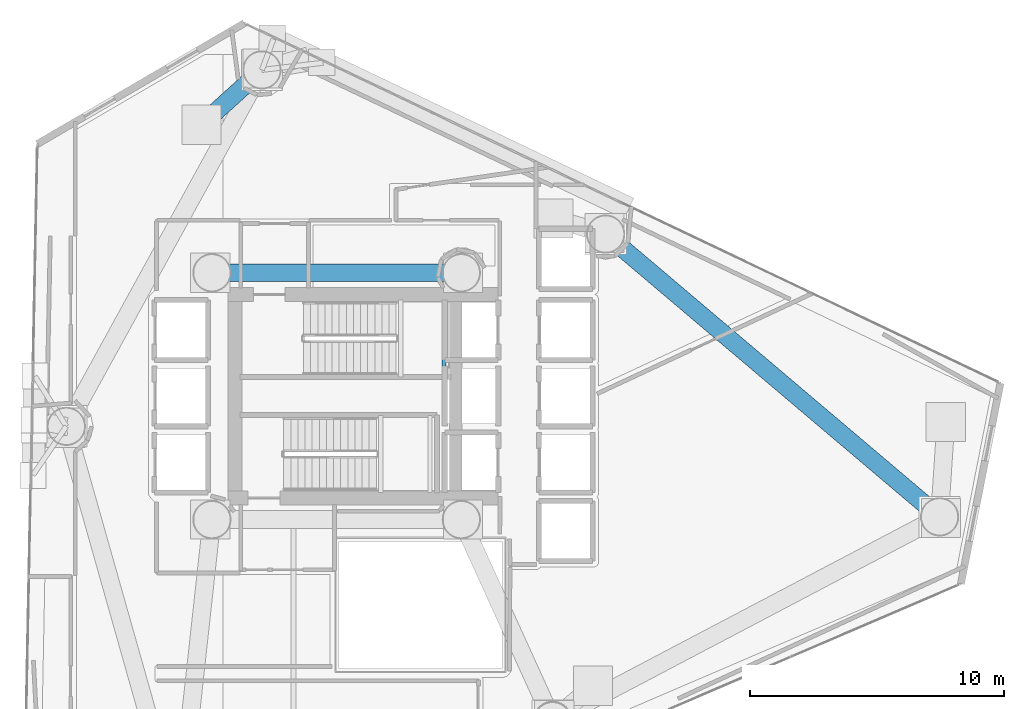
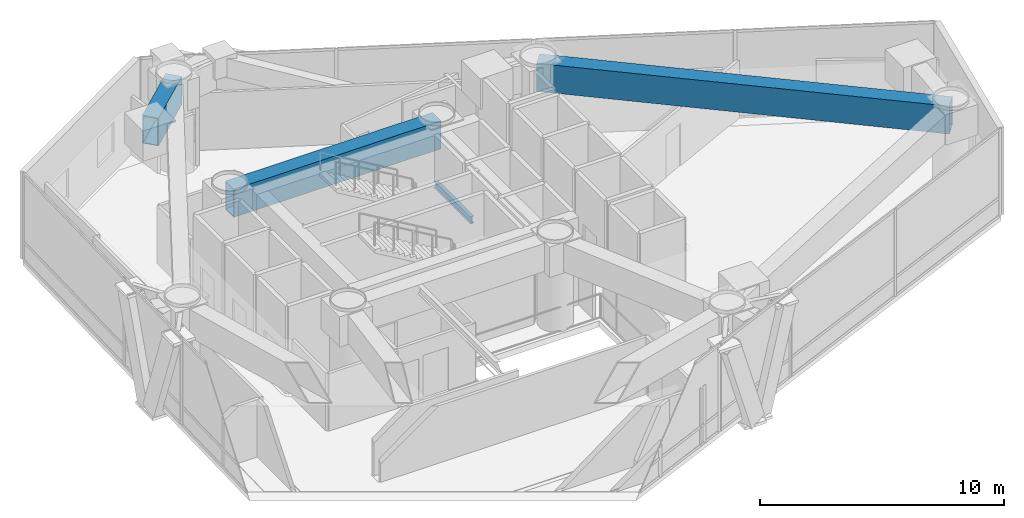
# One storey, part 10 of 22: 4 beams.
"""IFC4 building model written with IfcOpenShell, lengths in metres."""

from ifc_helpers import new_model, si_unit, direction, frame, origin, origin_2d, place, context, subcontext, project, spatial, hollow_rectangle, i_section, extrude, material, material_profile, profile_set, type_object, element, save


model = new_model("IFC4")

# Units and contexts
model_context = context("Model", 3, precision=1e-05, world=origin(), true_north=direction((0.0, 1.0)))
body_context = subcontext(model_context, "Body", "Model", "MODEL_VIEW")
ifc_project = project(units=[si_unit("LENGTHUNIT", "METRE"), si_unit("AREAUNIT", "SQUARE_METRE"), si_unit("VOLUMEUNIT", "CUBIC_METRE"), si_unit("PLANEANGLEUNIT", "RADIAN"), si_unit("MASSUNIT", "GRAM", prefix="KILO")], contexts=[model_context])

# Site, building, storey
site_placement = place(None, origin())
site = spatial("IfcSite", under=ifc_project, at=site_placement, CompositionType="ELEMENT")
building_placement = place(site_placement, origin())
building = spatial("IfcBuilding", under=site, at=building_placement, Name="Qianvela Tower", CompositionType="ELEMENT")
storey_placement = place(building_placement, frame((0.0, 0.0, 138.5)))
storey = spatial("IfcBuildingStorey", under=building, at=storey_placement, Name="L35", CompositionType="ELEMENT", Elevation=138.5)

# Beams
ifc_material_1 = material(Name="Steel Q355B", Category="steel")
ifc_material_profile_1 = material_profile(ifc_material_1, i_section(OverallWidth=0.175048828125, OverallDepth=0.35009765625, WebThickness=0.007080078125, FlangeThickness=0.010986328125, at=origin_2d()), Name="HN350x175x7x11")
ifc_profile_set_1 = profile_set([ifc_material_profile_1], Name="Steel Q355B")
beam_type_1 = type_object("IfcBeamType", Name="BM-HN350-JOIST", PredefinedType="JOIST", material=ifc_profile_set_1)
beam_1_placement = place(storey_placement, frame((37.719970703125, 29.4599609375, 1.925048828125), z_axis=(0.0, 1.0, 0.0), x_axis=(-1.0, 0.0, 0.0)))
element("IfcBeam", 1, at=beam_1_placement, inside=storey, type_object=beam_type_1, Name="L35 Stair ST-1 Landing Support Beam 1.2", PredefinedType="JOIST", context=body_context, shape_type="SweptSolid", body=[
    extrude(i_section(OverallWidth=0.175048828125, OverallDepth=0.35009765625, WebThickness=0.007080078125, FlangeThickness=0.010986328125, at=origin_2d()), origin(), (0.0, 0.0, 1.0), 3.02001953125),
])
ifc_material_2 = material(Name="Steel Q420GJC", Category="steel")
ifc_material_profile_2 = material_profile(ifc_material_2, hollow_rectangle(XDim=0.699951171875, YDim=1.39990234375, WallThickness=0.0400390625, at=origin_2d()), Name="TG-BOX-1400x700x40")
ifc_profile_set_2 = profile_set([ifc_material_profile_2], Name="Steel Q420GJC")
beam_type_2 = type_object("IfcBeamType", Name="BM-TG-RAD-1400", PredefinedType="BEAM", material=ifc_profile_set_2)
beam_2_placement = place(storey_placement, frame((28.60009765625, 33.550048828125, 3.677978515625), z_axis=(1.0, 0.0, 0.0), x_axis=(0.0, 1.0, 0.0)))
element("IfcBeam", 2, at=beam_2_placement, inside=storey, type_object=beam_type_2, Name="L35 Core Ring Transfer Girder 2", PredefinedType="BEAM", context=body_context, shape_type="SweptSolid", body=[
    extrude(hollow_rectangle(XDim=0.699951171875, YDim=1.39990234375, WallThickness=0.0400390625, at=origin_2d()), origin(), (0.0, 0.0, 1.0), 9.7998046875),
])
beam_3_placement = place(storey_placement, frame((57.194091796875, 23.9580078125, 3.677978515625), z_axis=(-0.763158437154, 0.646211420358, 0.0), x_axis=(-0.646211420358, -0.763158437154, 0.0)))
element("IfcBeam", 3, at=beam_3_placement, inside=storey, type_object=beam_type_2, Name="L35 Perimeter Belt-Truss Top Ring Girder 1", PredefinedType="BEAM", context=body_context, shape_type="SweptSolid", body=[
    extrude(hollow_rectangle(XDim=0.699951171875, YDim=1.39990234375, WallThickness=0.0400390625, at=origin_2d()), origin(), (0.0, 0.0, 1.0), 17.19580078125),
])
ifc_material_3 = material(Name="Steel Q420GJC", Category="steel")
ifc_material_profile_3 = material_profile(ifc_material_3, hollow_rectangle(XDim=0.699951171875, YDim=1.39990234375, WallThickness=0.0400390625, at=origin_2d()), Name="TG-BOX-1400x700x40")
ifc_profile_set_3 = profile_set([ifc_material_profile_3], Name="Steel Q420GJC")
beam_type_3 = type_object("IfcBeamType", Name="BM-TG-STEP-1400", PredefinedType="BEAM", material=ifc_profile_set_3)
beam_4_placement = place(storey_placement, frame((30.56396484375, 41.52099609375, 3.677978515625), z_axis=(-0.741053387637, -0.671446108538, 0.0), x_axis=(0.671446108538, -0.741053387637, 0.0)))
element("IfcBeam", 4, at=beam_4_placement, inside=storey, type_object=beam_type_3, Name="L35 Zone-Step Transfer Girder 3", PredefinedType="BEAM", context=body_context, shape_type="SweptSolid", body=[
    extrude(hollow_rectangle(XDim=0.699951171875, YDim=1.39990234375, WallThickness=0.0400390625, at=origin_2d()), origin(), (0.0, 0.0, 1.0), 3.142578125),
])

save(model, "model.ifc")
